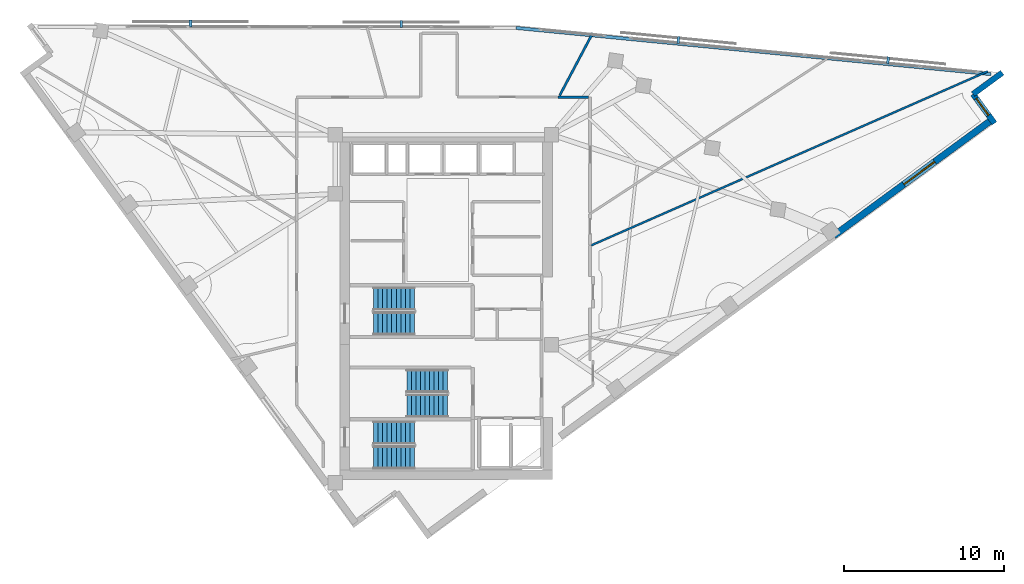
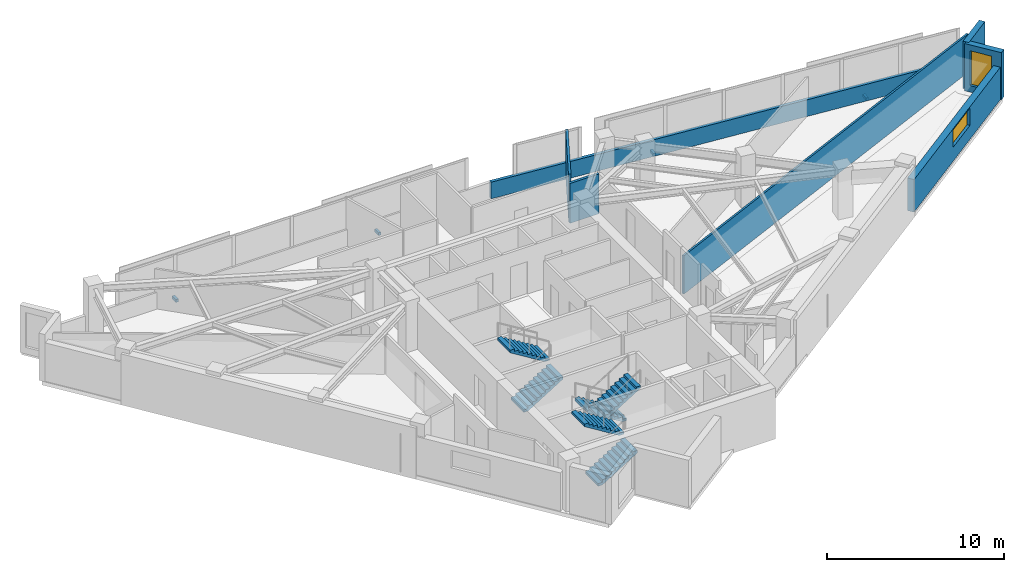
# One storey, part 12 of 14: 7 walls, 6 stair flights, 4 discrete accessories, 2 windows, 2 openings, 3 elements without a shape of their own.
"""IFC4 building model written with IfcOpenShell, lengths in metres."""

from ifc_helpers import new_model, si_unit, direction, frame, frame_2d, origin, origin_2d, place, context, subcontext, project, spatial, polyline, rectangle, outline, extrude, material, layer, layer_set, type_object, element, fill, aggregate, save


model = new_model("IFC4")

# Units and contexts
model_context = context("Model", 3, precision=1e-05, world=origin(), true_north=direction((0.0, 1.0)))
body_context = subcontext(model_context, "Body", "Model", "MODEL_VIEW")
ifc_project = project(units=[si_unit("LENGTHUNIT", "METRE"), si_unit("AREAUNIT", "SQUARE_METRE"), si_unit("VOLUMEUNIT", "CUBIC_METRE"), si_unit("PLANEANGLEUNIT", "RADIAN"), si_unit("MASSUNIT", "GRAM", prefix="KILO")], contexts=[model_context])

# Site, building, storey
site_placement = place(None, origin())
site = spatial("IfcSite", under=ifc_project, at=site_placement, CompositionType="ELEMENT")
building_placement = place(site_placement, origin())
building = spatial("IfcBuilding", under=site, at=building_placement, Name="Narakoshi Arena Tower", CompositionType="ELEMENT")
storey_placement = place(building_placement, frame((0.0, 0.0, 236.10009765625)))
storey = spatial("IfcBuildingStorey", under=building, at=storey_placement, Name="L64", CompositionType="ELEMENT", Elevation=236.10009765625)

# Walls
ifc_material_1 = material(Name="Gypsum plasterboard fire-rated partition")
ifc_layer_1 = layer(ifc_material_1, 0.1650390625)
ifc_layer_set_1 = layer_set([ifc_layer_1], Name="Gypsum plasterboard fire-rated partition")
wall_type_1 = type_object("IfcWallType", Name="WL-CORR-165", PredefinedType="PARTITIONING", material=ifc_layer_set_1)
wall_1_placement = place(storey_placement, frame((87.866943359375, 58.861328125, 0.0), z_axis=(0.0, 0.0, 1.0), x_axis=(-1.0, 0.0, 0.0)))
element("IfcWall", 1, at=wall_1_placement, inside=storey, type_object=wall_type_1, Name="L64 Corridor Partition 05-2", PredefinedType="PARTITIONING", context=body_context, shape_type="SweptSolid", body=[
    extrude(rectangle(XDim=1.89794921875, YDim=0.1650390625, at=frame_2d((0.948974609375, 0.0))), origin(), (0.0, 0.0, 1.0), 2.744873046875),
])
ifc_material_2 = material(Name="Precast concrete C45/55", Category="concrete")
ifc_layer_2 = layer(ifc_material_2, 0.25)
ifc_layer_set_2 = layer_set([ifc_layer_2], Name="Precast concrete C45/55")
wall_type_2 = type_object("IfcWallType", Name="WL-PARA-250", PredefinedType="PARAPET", material=ifc_layer_set_2)
wall_2_placement = place(storey_placement, frame((113.093505859375, 60.296630859375, 0.0), z_axis=(0.0, 0.0, 1.0), x_axis=(-0.995299069493, 0.096849172769, 0.0)))
element("IfcWall", 2, at=wall_2_placement, inside=storey, type_object=wall_type_2, Name="L64 Hypotenuse Sill Upstand Parapet 1-01", PredefinedType="PARAPET", context=body_context, shape_type="SweptSolid", body=[
    extrude(rectangle(XDim=29.917236328125, YDim=0.199951171875, at=frame_2d((14.95849609375, 0.0))), origin(), (0.0, 0.0, 1.0), 1.14990234375),
])
ifc_layer_3 = layer(ifc_material_1, 0.125)
ifc_layer_set_3 = layer_set([ifc_layer_3], Name="Gypsum plasterboard fire-rated partition")
wall_type_3 = type_object("IfcWallType", Name="WL-PART-125", PredefinedType="PARTITIONING", material=ifc_layer_set_3)
wall_3_placement = place(storey_placement, frame((88.038330078125, 49.5703125, 0.0), z_axis=(0.0, 0.0, 1.0), x_axis=(0.915662929471, 0.401947010926, 0.0)))
element("IfcWall", 3, at=wall_3_placement, inside=storey, type_object=wall_type_3, Name="L64 Inter-Room Partition 03-04", PredefinedType="PARTITIONING", context=body_context, shape_type="SweptSolid", body=[
    extrude(rectangle(XDim=27.135986328125, YDim=0.125, at=frame_2d((13.56787109375, 0.0))), origin(), (0.0, 0.0, 1.0), 2.64501953125),
])

# Wall, opening, window
ifc_layer_4 = layer(ifc_material_2, 0.419921875)
ifc_layer_set_4 = layer_set([ifc_layer_4], Name="Precast concrete C45/55")
wall_type_4 = type_object("IfcWallType", Name="WL-POD-420", PredefinedType="SOLIDWALL", material=ifc_layer_set_4)
wall_4_placement = place(storey_placement, frame((103.236572265625, 50.17529296875, 0.0), z_axis=(0.0, 0.0, 1.0), x_axis=(0.80643721533, 0.591319725471, 0.0)))
wall_4 = element("IfcWall", 4, at=wall_4_placement, inside=storey, type_object=wall_type_4, Name="L64 Architectural Concrete Facade Wall LEGA-4", PredefinedType="SOLIDWALL", context=body_context, shape_type="SweptSolid", body=[
    extrude(rectangle(XDim=12.285400390625, YDim=0.419921875, at=frame_2d((6.142578125, 0.0))), origin(), (0.0, 0.0, 1.0), 2.244873046875),
])
opening_1_placement = place(wall_4_placement, frame((5.443359375, 0.0, 0.965087890625)))
opening_1 = element("IfcOpeningElement", 5, at=opening_1_placement, cuts=wall_4, Name="Opening WN-04", PredefinedType="OPENING", context=body_context, shape_type="SweptSolid", body=[
    extrude(rectangle(XDim=2.39990234375, YDim=1.199951171875, at=frame_2d((1.199951171875, 0.60009765625))), frame((0.0, 0.219970703125, 0.0), z_axis=(0.0, -1.0, 0.0), x_axis=(1.0, 0.0, 0.0)), (0.0, 0.0, 1.0), 0.43994140625),
])
ifc_material_3 = material(Name="Bronze-tinted low-E laminated glass", Category="glass")
window_type_1 = type_object("IfcWindowType", Name="WIN-SLT-24x12", PartitioningType="SINGLE_PANEL", PredefinedType="WINDOW", material=ifc_material_3)
window_1_placement = place(opening_1_placement, origin())
window_1 = element("IfcWindow", 6, at=window_1_placement, inside=storey, type_object=window_type_1, Name="L64 LEGA4 Horizontal Slot Window 1", OverallHeight=1.199951171875, OverallWidth=2.39990234375, PartitioningType="SINGLE_PANEL", PredefinedType="WINDOW", context=body_context, shape_type="SweptSolid", body=[
    extrude(rectangle(XDim=2.39990234375, YDim=1.199951171875, at=frame_2d((1.199951171875, 0.60009765625))), frame((0.0, 0.030029296875, 0.0), z_axis=(0.0, -1.0, 0.0), x_axis=(1.0, 0.0, 0.0)), (0.0, 0.0, 1.0), 0.06005859375),
])
fill(opening_1, window_1)

wall_5_placement = place(storey_placement, frame((113.306640625, 57.218017578125, 0.0), z_axis=(0.0, 0.0, 1.0), x_axis=(-0.591251685745, 0.806487101015, 0.0)))
wall_5 = element("IfcWall", 7, at=wall_5_placement, inside=storey, type_object=wall_type_4, Name="L64 Re-Entrant Corner Notch Wall NTE-1", PredefinedType="SOLIDWALL", context=body_context, shape_type="SweptSolid", body=[
    extrude(rectangle(XDim=2.2685546875, YDim=0.360107421875, at=frame_2d((1.13427734375, 0.0))), origin(), (0.0, 0.0, 1.0), 3.260009765625),
])
opening_2_placement = place(wall_5_placement, frame((0.628662109375, 0.0, 0.449951171875)))
opening_2 = element("IfcOpeningElement", 8, at=opening_2_placement, cuts=wall_5, Name="Opening WN-06", PredefinedType="OPENING", context=body_context, shape_type="SweptSolid", body=[
    extrude(rectangle(XDim=1.300048828125, YDim=2.39990234375, at=frame_2d((0.64990234375, 1.199951171875))), frame((0.0, 0.18994140625, 0.0), z_axis=(0.0, -1.0, 0.0), x_axis=(1.0, 0.0, 0.0)), (0.0, 0.0, 1.0), 0.380126953125),
])
window_type_2 = type_object("IfcWindowType", Name="WIN-NTC-16x24", PartitioningType="SINGLE_PANEL", PredefinedType="WINDOW", material=ifc_material_3)
window_2_placement = place(opening_2_placement, origin())
window_2 = element("IfcWindow", 9, at=window_2_placement, inside=storey, type_object=window_type_2, Name="L64 Corner Notch Window NTE", OverallHeight=2.39990234375, OverallWidth=1.300048828125, PartitioningType="SINGLE_PANEL", PredefinedType="WINDOW", context=body_context, shape_type="SweptSolid", body=[
    extrude(rectangle(XDim=1.300048828125, YDim=2.39990234375, at=frame_2d((0.64990234375, 1.199951171875))), frame((0.0, 0.030029296875, 0.0), z_axis=(0.0, -1.0, 0.0), x_axis=(1.0, 0.0, 0.0)), (0.0, 0.0, 1.0), 0.06005859375),
])
fill(opening_2, window_2)

# Walls
wall_6_placement = place(storey_placement, frame((111.96533203125, 59.047607421875, 0.0), z_axis=(0.0, 0.0, 1.0), x_axis=(0.806435785153, 0.59132167593, 0.0)))
element("IfcWall", 10, at=wall_6_placement, inside=storey, type_object=wall_type_4, Name="L64 Re-Entrant Corner Notch Wall NTE-2", PredefinedType="SOLIDWALL", context=body_context, shape_type="SweptSolid", body=[
    extrude(rectangle(XDim=2.268798828125, YDim=0.360107421875, at=frame_2d((1.13427734375, 0.0))), origin(), (0.0, 0.0, 1.0), 3.260009765625),
])
ifc_material_4 = material(Name="Moisture-resistant cement-board partition")
ifc_layer_5 = layer(ifc_material_4, 0.14501953125)
ifc_layer_set_5 = layer_set([ifc_layer_5], Name="Moisture-resistant cement-board partition")
wall_type_5 = type_object("IfcWallType", Name="WL-WET-145", PredefinedType="PARTITIONING", material=ifc_layer_set_5)
wall_7_placement = place(storey_placement, frame((86.06005859375, 58.955810546875, 0.0), z_axis=(0.0, 0.0, 1.0), x_axis=(0.467912947526, 0.883774560359, 0.0)))
element("IfcWall", 11, at=wall_7_placement, inside=storey, type_object=wall_type_5, Name="L64 Inter-Room Partition 05-06", PredefinedType="PARTITIONING", context=body_context, shape_type="SweptSolid", body=[
    extrude(rectangle(XDim=4.446533203125, YDim=0.14501953125, at=frame_2d((2.22314453125, 0.0))), origin(), (0.0, 0.0, 1.0), 3.260009765625),
])

# Stair, stair flights
ifc_material_5 = material(Name="Concrete C45/55", Category="concrete")
stair_type = type_object("IfcStairType", Name="STR-CORE-352", PredefinedType="TWO_STRAIGHT_RUN_STAIR", material=ifc_material_5)
stair_1_placement = place(storey_placement, origin())
stair_1 = element("IfcStair", 12, at=stair_1_placement, inside=storey, type_object=stair_type, Name="L64 Core Escape Stair ST1", PredefinedType="TWO_STRAIGHT_RUN_STAIR")
stair_flight_type = type_object("IfcStairFlightType", Name="FLT-145-160", PredefinedType="STRAIGHT", material=ifc_material_2)
stair_flight_1_placement = place(storey_placement, frame((74.39990234375, 36.27490234375, 0.0), z_axis=(0.0, 0.0, 1.0), x_axis=(1.0, 0.0, 0.0)))
stair_flight_1 = element("IfcStairFlight", 13, at=stair_flight_1_placement, type_object=stair_flight_type, Name="ST1 flight 1", NumberOfRisers=10, NumberOfTreads=9, PredefinedType="STRAIGHT", RiserHeight=0.176, TreadLength=0.285, context=body_context, shape_type="SweptSolid", body=[
    extrude(outline(polyline([(0.0, 0.0), (0.0, 0.176025390625), (0.284912109375, 0.176025390625), (0.284912109375, 0.35205078125), (0.570068359375, 0.35205078125), (0.570068359375, 0.528076171875), (0.85498046875, 0.528076171875), (0.85498046875, 0.7041015625), (1.139892578125, 0.7041015625), (1.139892578125, 0.8798828125), (1.425048828125, 0.8798828125), (1.425048828125, 1.055908203125), (1.7099609375, 1.055908203125), (1.7099609375, 1.23193359375), (1.9951171875, 1.23193359375), (1.9951171875, 1.407958984375), (2.280029296875, 1.407958984375), (2.280029296875, 1.583984375), (2.56494140625, 1.583984375), (2.56494140625, 1.760009765625), (2.56494140625, 1.40771484375), (0.285400390625, 0.0), (0.0, 0.0)])), frame((0.0, 0.72509765625, 0.0), z_axis=(0.0, -1.0, 0.0), x_axis=(1.0, 0.0, 0.0)), (0.0, 0.0, 1.0), 1.449951171875),
])
stair_flight_2_placement = place(storey_placement, frame((76.965087890625, 37.824951171875, 1.760009765625), z_axis=(0.0, 0.0, 1.0), x_axis=(-1.0, 0.0, 0.0)))
stair_flight_2 = element("IfcStairFlight", 14, at=stair_flight_2_placement, type_object=stair_flight_type, Name="ST1 flight 2", NumberOfRisers=10, NumberOfTreads=9, PredefinedType="STRAIGHT", RiserHeight=0.176, TreadLength=0.285, context=body_context, shape_type="SweptSolid", body=[
    extrude(outline(polyline([(0.0, 0.0), (0.0, 0.176025390625), (0.284912109375, 0.176025390625), (0.284912109375, 0.35205078125), (0.570068359375, 0.35205078125), (0.570068359375, 0.528076171875), (0.85498046875, 0.528076171875), (0.85498046875, 0.7041015625), (1.139892578125, 0.7041015625), (1.139892578125, 0.8798828125), (1.425048828125, 0.8798828125), (1.425048828125, 1.055908203125), (1.7099609375, 1.055908203125), (1.7099609375, 1.23193359375), (1.9951171875, 1.23193359375), (1.9951171875, 1.407958984375), (2.280029296875, 1.407958984375), (2.280029296875, 1.583984375), (2.56494140625, 1.583984375), (2.56494140625, 1.760009765625), (2.56494140625, 1.40771484375), (0.285400390625, 0.0), (0.0, 0.0)])), frame((0.0, 0.72509765625, 0.0), z_axis=(0.0, -1.0, 0.0), x_axis=(1.0, 0.0, 0.0)), (0.0, 0.0, 1.0), 1.449951171875),
])
aggregate(stair_1, [stair_flight_1, stair_flight_2])

stair_2_placement = place(storey_placement, origin())
stair_2 = element("IfcStair", 15, at=stair_2_placement, inside=storey, type_object=stair_type, Name="L64 Core Escape Stair ST2", PredefinedType="TWO_STRAIGHT_RUN_STAIR")
stair_flight_3_placement = place(storey_placement, frame((79.050048828125, 41.074951171875, 0.0), z_axis=(0.0, 0.0, 1.0), x_axis=(-1.0, 0.0, 0.0)))
stair_flight_3 = element("IfcStairFlight", 16, at=stair_flight_3_placement, type_object=stair_flight_type, Name="ST2 flight 1", NumberOfRisers=10, NumberOfTreads=9, PredefinedType="STRAIGHT", RiserHeight=0.176, TreadLength=0.285, context=body_context, shape_type="SweptSolid", body=[
    extrude(outline(polyline([(0.0, 0.0), (0.0, 0.176025390625), (0.284912109375, 0.176025390625), (0.284912109375, 0.35205078125), (0.570068359375, 0.35205078125), (0.570068359375, 0.528076171875), (0.85498046875, 0.528076171875), (0.85498046875, 0.7041015625), (1.139892578125, 0.7041015625), (1.139892578125, 0.8798828125), (1.425048828125, 0.8798828125), (1.425048828125, 1.055908203125), (1.7099609375, 1.055908203125), (1.7099609375, 1.23193359375), (1.9951171875, 1.23193359375), (1.9951171875, 1.407958984375), (2.280029296875, 1.407958984375), (2.280029296875, 1.583984375), (2.56494140625, 1.583984375), (2.56494140625, 1.760009765625), (2.56494140625, 1.40771484375), (0.285400390625, 0.0), (0.0, 0.0)])), frame((0.0, 0.72509765625, 0.0), z_axis=(0.0, -1.0, 0.0), x_axis=(1.0, 0.0, 0.0)), (0.0, 0.0, 1.0), 1.449951171875),
])
stair_flight_4_placement = place(storey_placement, frame((76.485107421875, 39.52490234375, 1.760009765625), z_axis=(0.0, 0.0, 1.0), x_axis=(1.0, 0.0, 0.0)))
stair_flight_4 = element("IfcStairFlight", 17, at=stair_flight_4_placement, type_object=stair_flight_type, Name="ST2 flight 2", NumberOfRisers=10, NumberOfTreads=9, PredefinedType="STRAIGHT", RiserHeight=0.176, TreadLength=0.285, context=body_context, shape_type="SweptSolid", body=[
    extrude(outline(polyline([(0.0, 0.0), (0.0, 0.176025390625), (0.284912109375, 0.176025390625), (0.284912109375, 0.35205078125), (0.570068359375, 0.35205078125), (0.570068359375, 0.528076171875), (0.85498046875, 0.528076171875), (0.85498046875, 0.7041015625), (1.139892578125, 0.7041015625), (1.139892578125, 0.8798828125), (1.425048828125, 0.8798828125), (1.425048828125, 1.055908203125), (1.7099609375, 1.055908203125), (1.7099609375, 1.23193359375), (1.9951171875, 1.23193359375), (1.9951171875, 1.407958984375), (2.280029296875, 1.407958984375), (2.280029296875, 1.583984375), (2.56494140625, 1.583984375), (2.56494140625, 1.760009765625), (2.56494140625, 1.40771484375), (0.285400390625, 0.0), (0.0, 0.0)])), frame((0.0, 0.72509765625, 0.0), z_axis=(0.0, -1.0, 0.0), x_axis=(1.0, 0.0, 0.0)), (0.0, 0.0, 1.0), 1.449951171875),
])
aggregate(stair_2, [stair_flight_3, stair_flight_4])

stair_3_placement = place(storey_placement, origin())
stair_3 = element("IfcStair", 18, at=stair_3_placement, inside=storey, type_object=stair_type, Name="L64 Core Escape Stair ST3", PredefinedType="TWO_STRAIGHT_RUN_STAIR")
stair_flight_5_placement = place(storey_placement, frame((74.39990234375, 44.675048828125, 0.0), z_axis=(0.0, 0.0, 1.0), x_axis=(1.0, 0.0, 0.0)))
stair_flight_5 = element("IfcStairFlight", 19, at=stair_flight_5_placement, type_object=stair_flight_type, Name="ST3 flight 1", NumberOfRisers=10, NumberOfTreads=9, PredefinedType="STRAIGHT", RiserHeight=0.176, TreadLength=0.285, context=body_context, shape_type="SweptSolid", body=[
    extrude(outline(polyline([(0.0, 0.0), (0.0, 0.176025390625), (0.284912109375, 0.176025390625), (0.284912109375, 0.35205078125), (0.570068359375, 0.35205078125), (0.570068359375, 0.528076171875), (0.85498046875, 0.528076171875), (0.85498046875, 0.7041015625), (1.139892578125, 0.7041015625), (1.139892578125, 0.8798828125), (1.425048828125, 0.8798828125), (1.425048828125, 1.055908203125), (1.7099609375, 1.055908203125), (1.7099609375, 1.23193359375), (1.9951171875, 1.23193359375), (1.9951171875, 1.407958984375), (2.280029296875, 1.407958984375), (2.280029296875, 1.583984375), (2.56494140625, 1.583984375), (2.56494140625, 1.760009765625), (2.56494140625, 1.40771484375), (0.285400390625, 0.0), (0.0, 0.0)])), frame((0.0, 0.72509765625, 0.0), z_axis=(0.0, -1.0, 0.0), x_axis=(1.0, 0.0, 0.0)), (0.0, 0.0, 1.0), 1.449951171875),
])
stair_flight_6_placement = place(storey_placement, frame((76.965087890625, 46.22509765625, 1.760009765625), z_axis=(0.0, 0.0, 1.0), x_axis=(-1.0, 0.0, 0.0)))
stair_flight_6 = element("IfcStairFlight", 20, at=stair_flight_6_placement, type_object=stair_flight_type, Name="ST3 flight 2", NumberOfRisers=10, NumberOfTreads=9, PredefinedType="STRAIGHT", RiserHeight=0.176, TreadLength=0.285, context=body_context, shape_type="SweptSolid", body=[
    extrude(outline(polyline([(0.0, 0.0), (0.0, 0.176025390625), (0.284912109375, 0.176025390625), (0.284912109375, 0.35205078125), (0.570068359375, 0.35205078125), (0.570068359375, 0.528076171875), (0.85498046875, 0.528076171875), (0.85498046875, 0.7041015625), (1.139892578125, 0.7041015625), (1.139892578125, 0.8798828125), (1.425048828125, 0.8798828125), (1.425048828125, 1.055908203125), (1.7099609375, 1.055908203125), (1.7099609375, 1.23193359375), (1.9951171875, 1.23193359375), (1.9951171875, 1.407958984375), (2.280029296875, 1.407958984375), (2.280029296875, 1.583984375), (2.56494140625, 1.583984375), (2.56494140625, 1.760009765625), (2.56494140625, 1.40771484375), (0.285400390625, 0.0), (0.0, 0.0)])), frame((0.0, 0.72509765625, 0.0), z_axis=(0.0, -1.0, 0.0), x_axis=(1.0, 0.0, 0.0)), (0.0, 0.0, 1.0), 1.449951171875),
])
aggregate(stair_3, [stair_flight_5, stair_flight_6])

# Discrete accessories
ifc_material_6 = material(Name="Structural steel S355J2", Category="steel")
discrete_accessory_type = type_object("IfcDiscreteAccessoryType", Name="ACC-BRK-SCR", PredefinedType="BRACKET", material=ifc_material_6)
for number, where, z_axis, x_axis, name in (
    (21, (106.636474609375, 61.166015625, -0.080078125), (0.0, 0.0, 1.0), (-0.995298664587, 0.096853333819, 0.0), "L64 Solar Screen Support Bracket SHD-L64-SCR1-1"),
    (22, (93.498291015625, 62.444580078125, -0.080078125), (0.0, 0.0, 1.0), (-0.995298664587, 0.096853333819, 0.0), "L64 Solar Screen Support Bracket SHD-L64-SCR1-2"),
    (23, (76.1328125, 63.4462890625, -0.080078125), (0.0, 0.0, 1.0), (-0.999998352629, 0.001815141425, 0.0), "L64 Solar Screen Support Bracket SHD-L64-SCR2-1"),
    (24, (62.9326171875, 63.470458984375, -0.080078125), (0.0, 0.0, 1.0), (-0.999998352629, 0.001815141425, 0.0), "L64 Solar Screen Support Bracket SHD-L64-SCR2-2"),
):
    element("IfcDiscreteAccessory", number, at=place(storey_placement, frame(where, z_axis=z_axis, x_axis=x_axis)), inside=storey, type_object=discrete_accessory_type, Name=name, PredefinedType="BRACKET", context=body_context, shape_type="SweptSolid", body=[
        extrude(rectangle(XDim=0.159912109375, YDim=0.43994140625, at=origin_2d()), origin(), (0.0, 0.0, 1.0), 0.199951171875),
    ])

save(model, "model.ifc")
